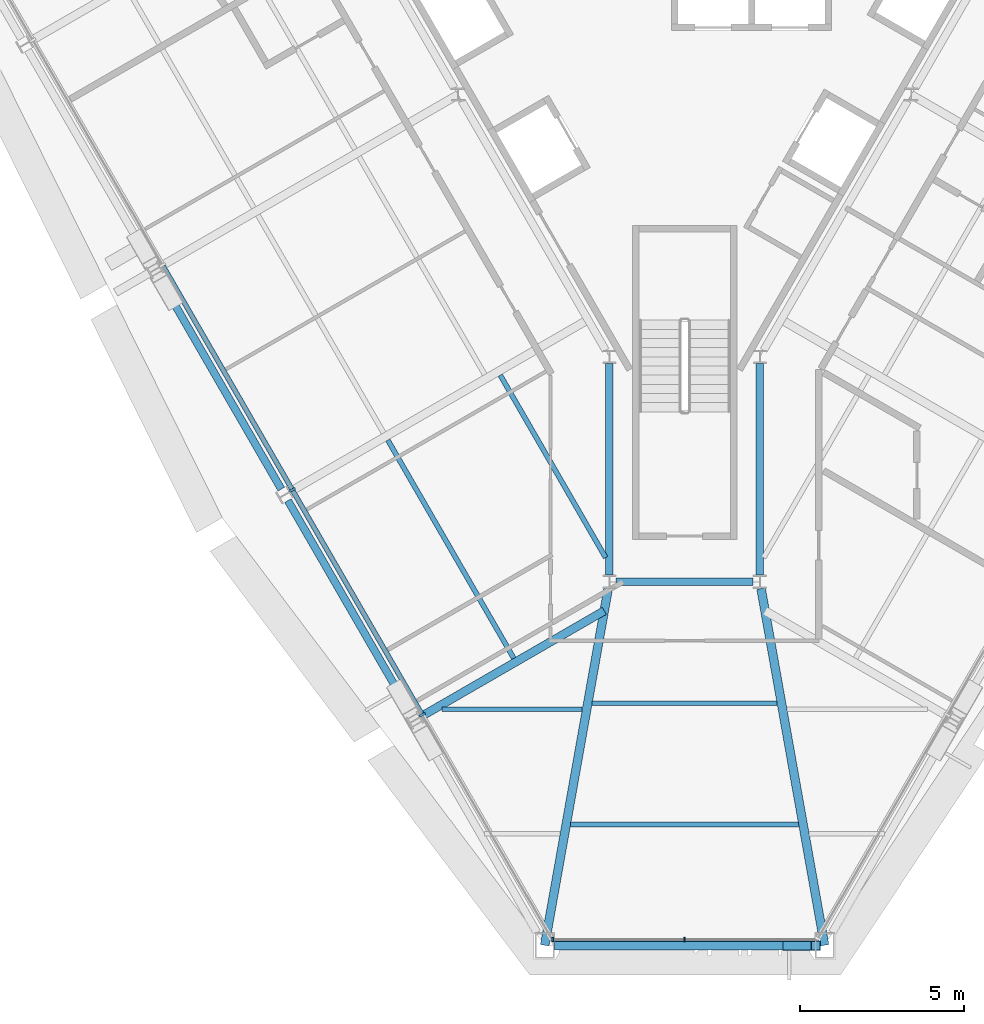
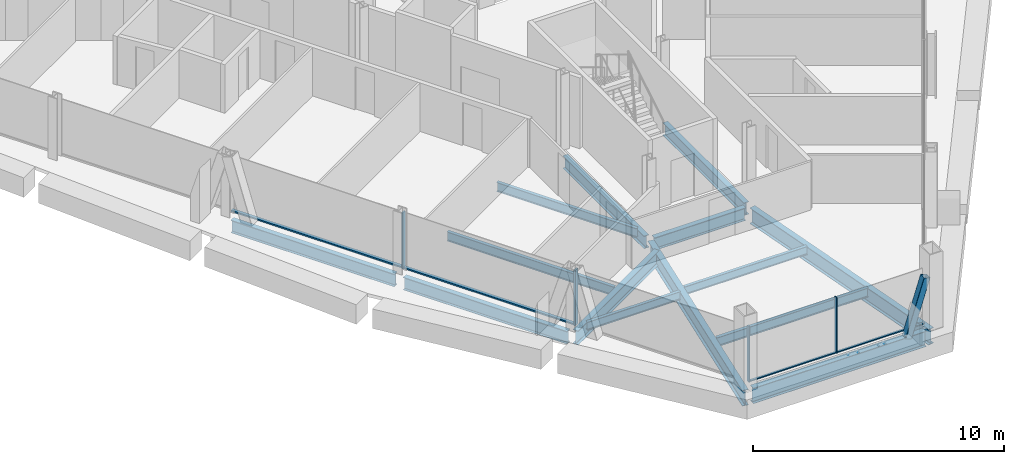
# One storey, part 3 of 14: 14 beams, 9 members, 2 elements without a shape of their own.
"""IFC4 building model written with IfcOpenShell, lengths in metres."""

from ifc_helpers import new_model, si_unit, direction, frame, origin, origin_2d, place, context, subcontext, project, spatial, rectangle, hollow_rectangle, i_section, extrude, material, material_profile, profile_set, type_object, element, aggregate, save


model = new_model("IFC4")

# Units and contexts
model_context = context("Model", 3, precision=1e-05, world=origin(), true_north=direction((0.0, 1.0)))
body_context = subcontext(model_context, "Body", "Model", "MODEL_VIEW")
ifc_project = project(units=[si_unit("LENGTHUNIT", "METRE"), si_unit("AREAUNIT", "SQUARE_METRE"), si_unit("VOLUMEUNIT", "CUBIC_METRE"), si_unit("PLANEANGLEUNIT", "RADIAN"), si_unit("MASSUNIT", "GRAM", prefix="KILO")], contexts=[model_context])

# Site, building, storey
site_placement = place(None, origin())
site = spatial("IfcSite", under=ifc_project, at=site_placement, CompositionType="ELEMENT")
building_placement = place(site_placement, origin())
building = spatial("IfcBuilding", under=site, at=building_placement, Name="Verrane Prism Tower", CompositionType="ELEMENT")
storey_placement = place(building_placement, frame((0.0, 0.0, 196.89990234375)))
storey = spatial("IfcBuildingStorey", under=building, at=storey_placement, Name="L49", CompositionType="ELEMENT", Elevation=196.89990234375)

# Member
ifc_material_1 = material(Name="Steel A500 Grade C", Category="steel")
ifc_material_profile_1 = material_profile(ifc_material_1, hollow_rectangle(XDim=0.3046875, YDim=0.3046875, WallThickness=0.0126953125, InnerFilletRadius=0.00634765625, OuterFilletRadius=0.01904296875, at=origin_2d()), Name="HSS12x12x1/2")
ifc_profile_set_1 = profile_set([ifc_material_profile_1], Name="Steel A500 Grade C")
member_type_1 = type_object("IfcMemberType", Name="Chamfer brace HSS12x12x1/2", PredefinedType="BRACE", material=ifc_profile_set_1)
member_1_placement = place(storey_placement, frame((3.152099609375, -30.02001953125, -0.242431640625), z_axis=(0.305311612808, 0.0, 0.952252497547), x_axis=(0.0, 1.0, 0.0)))
element("IfcMember", 1, at=member_1_placement, inside=storey, type_object=member_type_1, Name="Chamfer brace S0 L49", PredefinedType="BRACE", context=body_context, shape_type="SweptSolid", body=[
    extrude(hollow_rectangle(XDim=0.3046875, YDim=0.3046875, WallThickness=0.0126953125, InnerFilletRadius=0.00634765625, OuterFilletRadius=0.01904296875, at=origin_2d()), origin(), (0.0, 0.0, 1.0), 2.81005859375),
])

# Beams
ifc_material_2 = material(Name="Steel A992", Category="steel")
ifc_material_profile_2 = material_profile(ifc_material_2, i_section(OverallWidth=0.2666015625, OverallDepth=0.7568359375, WebThickness=0.013916015625, FlangeThickness=0.019287109375, FilletRadius=0.0166015625, at=origin_2d()), Name="W30x108")
ifc_profile_set_2 = profile_set([ifc_material_profile_2], Name="Steel A992")
beam_type_1 = type_object("IfcBeamType", Name="Chamfer spandrel beam W30x108", PredefinedType="SPANDREL", material=ifc_profile_set_2)
beam_1_placement = place(storey_placement, frame((-3.97998046875, -30.02001953125, -0.538330078125), z_axis=(1.0, 0.0, 0.0), x_axis=(0.0, 1.0, 0.0)))
element("IfcBeam", 2, at=beam_1_placement, inside=storey, type_object=beam_type_1, Name="Chamfer spandrel beam L49", PredefinedType="SPANDREL", context=body_context, shape_type="SweptSolid", body=[
    extrude(i_section(OverallWidth=0.2666015625, OverallDepth=0.7568359375, WebThickness=0.013916015625, FlangeThickness=0.019287109375, FilletRadius=0.0166015625, at=origin_2d()), origin(), (0.0, 0.0, 1.0), 7.9599609375),
])
ifc_material_3 = material(Name="Steel A992", Category="steel")
ifc_material_profile_3 = material_profile(ifc_material_3, i_section(OverallWidth=0.23046875, OverallDepth=0.6171875, WebThickness=0.01318359375, FlangeThickness=0.022216796875, FilletRadius=0.012939453125, at=origin_2d()), Name="W24x94")
ifc_profile_set_3 = profile_set([ifc_material_profile_3], Name="Steel A992")
beam_type_2 = type_object("IfcBeamType", Name="Core ring girder W24x94", PredefinedType="BEAM", material=ifc_profile_set_3)
beam_2_placement = place(storey_placement, frame((-2.300048828125, -12.219482421875, -0.55859375), z_axis=(0.0, -1.0, 0.0), x_axis=(1.0, 0.0, 0.0)))
element("IfcBeam", 3, at=beam_2_placement, inside=storey, type_object=beam_type_2, Name="Core ring girder L49", PredefinedType="BEAM", context=body_context, shape_type="SweptSolid", body=[
    extrude(i_section(OverallWidth=0.23046875, OverallDepth=0.6171875, WebThickness=0.01318359375, FlangeThickness=0.022216796875, FilletRadius=0.012939453125, at=origin_2d()), origin(), (0.0, 0.0, 1.0), 6.47216796875),
])
beam_3_placement = place(storey_placement, frame((-2.0966796875, -18.89990234375, -0.55859375), z_axis=(1.0, 0.0, 0.0), x_axis=(0.0, 1.0, 0.0)))
element("IfcBeam", 4, at=beam_3_placement, inside=storey, type_object=beam_type_2, Name="Core ring girder L49", PredefinedType="BEAM", context=body_context, shape_type="SweptSolid", body=[
    extrude(i_section(OverallWidth=0.23046875, OverallDepth=0.6171875, WebThickness=0.01318359375, FlangeThickness=0.022216796875, FilletRadius=0.012939453125, at=origin_2d()), origin(), (0.0, 0.0, 1.0), 4.193359375),
])
beam_4_placement = place(storey_placement, frame((2.300048828125, -18.691650390625, -0.55859375), z_axis=(0.0, 1.0, 0.0), x_axis=(-1.0, 0.0, 0.0)))
element("IfcBeam", 5, at=beam_4_placement, inside=storey, type_object=beam_type_2, Name="Core ring girder L49", PredefinedType="BEAM", context=body_context, shape_type="SweptSolid", body=[
    extrude(i_section(OverallWidth=0.23046875, OverallDepth=0.6171875, WebThickness=0.01318359375, FlangeThickness=0.022216796875, FilletRadius=0.012939453125, at=origin_2d()), origin(), (0.0, 0.0, 1.0), 6.47216796875),
])
ifc_material_4 = material(Name="Steel A992", Category="steel")
ifc_material_profile_4 = material_profile(ifc_material_4, i_section(OverallWidth=0.2666015625, OverallDepth=0.76708984375, WebThickness=0.014892578125, FlangeThickness=0.023681640625, FilletRadius=0.0166015625, at=origin_2d()), Name="W30x124")
ifc_profile_set_4 = profile_set([ifc_material_profile_4], Name="Steel A992")
beam_type_3 = type_object("IfcBeamType", Name="Corner girder W30x124", PredefinedType="BEAM", material=ifc_profile_set_4)
beam_5_placement = place(storey_placement, frame((-4.2783203125, -30.010986328125, -0.603515625), z_axis=(0.175289303182, 0.984516967954, 0.0), x_axis=(-0.984516967954, 0.175289303182, 0.0)))
element("IfcBeam", 6, at=beam_5_placement, inside=storey, type_object=beam_type_3, Name="Corner girder L49", PredefinedType="BEAM", context=body_context, shape_type="SweptSolid", body=[
    extrude(i_section(OverallWidth=0.2666015625, OverallDepth=0.76708984375, WebThickness=0.014892578125, FlangeThickness=0.023681640625, FilletRadius=0.0166015625, at=origin_2d()), origin(), (0.0, 0.0, 1.0), 11.073974609375),
])
beam_6_placement = place(storey_placement, frame((4.2783203125, -30.010498046875, -0.603515625), z_axis=(-0.175296912765, 0.984515613068, 0.0), x_axis=(-0.984515613068, -0.175296912765, 0.0)))
element("IfcBeam", 7, at=beam_6_placement, inside=storey, type_object=beam_type_3, Name="Corner girder L49", PredefinedType="BEAM", context=body_context, shape_type="SweptSolid", body=[
    extrude(i_section(OverallWidth=0.2666015625, OverallDepth=0.76708984375, WebThickness=0.014892578125, FlangeThickness=0.023681640625, FilletRadius=0.0166015625, at=origin_2d()), origin(), (0.0, 0.0, 1.0), 11.073486328125),
])
ifc_material_5 = material(Name="Steel A992", Category="steel")
ifc_material_profile_5 = material_profile(ifc_material_5, i_section(OverallWidth=0.140380859375, OverallDepth=0.40380859375, WebThickness=0.007080078125, FlangeThickness=0.01123046875, FilletRadius=0.01025390625, at=origin_2d()), Name="W16x31")
ifc_profile_set_5 = profile_set([ifc_material_profile_5], Name="Steel A992")
beam_type_4 = type_object("IfcBeamType", Name="Floor beam W16x31", PredefinedType="BEAM", material=ifc_profile_set_5)
beam_7_placement = place(storey_placement, frame((-7.418212890625, -22.796630859375, -0.36181640625), z_axis=(1.0, 0.0, 0.0), x_axis=(0.0, 1.0, 0.0)))
element("IfcBeam", 8, at=beam_7_placement, inside=storey, type_object=beam_type_4, Name="Floor beam L49", PredefinedType="BEAM", context=body_context, shape_type="SweptSolid", body=[
    extrude(i_section(OverallWidth=0.140380859375, OverallDepth=0.40380859375, WebThickness=0.007080078125, FlangeThickness=0.01123046875, FilletRadius=0.01025390625, at=origin_2d()), origin(), (0.0, 0.0, 1.0), 4.287109375),
])
beam_8_placement = place(storey_placement, frame((-2.825927734375, -22.606689453125, -0.36181640625), z_axis=(1.0, 0.0, 0.0), x_axis=(0.0, 1.0, 0.0)))
element("IfcBeam", 9, at=beam_8_placement, inside=storey, type_object=beam_type_4, Name="Floor beam L49", PredefinedType="BEAM", context=body_context, shape_type="SweptSolid", body=[
    extrude(i_section(OverallWidth=0.140380859375, OverallDepth=0.40380859375, WebThickness=0.007080078125, FlangeThickness=0.01123046875, FilletRadius=0.01025390625, at=origin_2d()), origin(), (0.0, 0.0, 1.0), 5.65185546875),
])
ifc_material_6 = material(Name="Steel A992", Category="steel")
ifc_material_profile_6 = material_profile(ifc_material_6, i_section(OverallWidth=0.15234375, OverallDepth=0.449462890625, WebThickness=0.007568359375, FlangeThickness=0.0107421875, FilletRadius=0.01025390625, at=origin_2d()), Name="W18x35")
ifc_profile_set_6 = profile_set([ifc_material_profile_6], Name="Steel A992")
beam_type_5 = type_object("IfcBeamType", Name="Floor beam W18x35", PredefinedType="BEAM", material=ifc_profile_set_6)
beam_9_placement = place(storey_placement, frame((-2.4150390625, -18.16064453125, -0.384765625), z_axis=(-0.499994722028, 0.866028451001, 0.0), x_axis=(-0.866028451001, -0.499994722028, 0.0)))
element("IfcBeam", 10, at=beam_9_placement, inside=storey, type_object=beam_type_5, Name="Floor beam L49", PredefinedType="BEAM", context=body_context, shape_type="SweptSolid", body=[
    extrude(i_section(OverallWidth=0.15234375, OverallDepth=0.449462890625, WebThickness=0.007568359375, FlangeThickness=0.0107421875, FilletRadius=0.01025390625, at=origin_2d()), origin(), (0.0, 0.0, 1.0), 6.4423828125),
])
beam_10_placement = place(storey_placement, frame((-5.222900390625, -21.237060546875, -0.384765625), z_axis=(-0.500007761655, 0.866020922544, 0.0), x_axis=(-0.866020922544, -0.500007761655, 0.0)))
element("IfcBeam", 11, at=beam_10_placement, inside=storey, type_object=beam_type_5, Name="Floor beam L49", PredefinedType="BEAM", context=body_context, shape_type="SweptSolid", body=[
    extrude(i_section(OverallWidth=0.15234375, OverallDepth=0.449462890625, WebThickness=0.007568359375, FlangeThickness=0.0107421875, FilletRadius=0.01025390625, at=origin_2d()), origin(), (0.0, 0.0, 1.0), 7.70361328125),
])
beam_11_placement = place(storey_placement, frame((-3.486083984375, -26.313232421875, -0.384765625), z_axis=(1.0, 0.0, 0.0), x_axis=(0.0, 1.0, 0.0)))
element("IfcBeam", 12, at=beam_11_placement, inside=storey, type_object=beam_type_5, Name="Floor beam L49", PredefinedType="BEAM", context=body_context, shape_type="SweptSolid", body=[
    extrude(i_section(OverallWidth=0.15234375, OverallDepth=0.449462890625, WebThickness=0.007568359375, FlangeThickness=0.0107421875, FilletRadius=0.01025390625, at=origin_2d()), origin(), (0.0, 0.0, 1.0), 6.97216796875),
])

# Curtain wall, members
ifc_material_7 = material(Name="Aluminium framed insulated glazing", Category="aluminium")
curtain_wall_type_1 = type_object("IfcCurtainWallType", Name="Curtain wall CW-C 4200 module", PredefinedType="NOTDEFINED", material=ifc_material_7)
curtain_wall_1_placement = place(storey_placement, origin())
curtain_wall_1 = element("IfcCurtainWall", 13, at=curtain_wall_1_placement, inside=storey, type_object=curtain_wall_type_1, Name="Glazed curtain wall south corner L49", PredefinedType="NOTDEFINED")
ifc_material_8 = material(Name="Aluminium alloy 6063-T6", Category="aluminium")
ifc_material_profile_7 = material_profile(ifc_material_8, rectangle(XDim=0.139892578125, YDim=0.050048828125, at=origin_2d()), Name="Mullion 50x140 aluminium")
ifc_profile_set_7 = profile_set([ifc_material_profile_7], Name="Aluminium alloy 6063-T6")
member_type_2 = type_object("IfcMemberType", Name="Mullion 50x140 aluminium", PredefinedType="MULLION", material=ifc_profile_set_7)
member_2_placement = place(storey_placement, frame((-4.0302734375, -29.838134765625, 0.0), z_axis=(0.0, 0.0, 1.0), x_axis=(0.0, 1.0, 0.0)))
member_2 = element("IfcMember", 14, at=member_2_placement, type_object=member_type_2, Name="CW47.5 mullion 1", PredefinedType="MULLION", context=body_context, shape_type="SweptSolid", body=[
    extrude(rectangle(XDim=0.139892578125, YDim=0.050048828125, at=origin_2d()), origin(), (0.0, 0.0, 1.0), 2.712890625),
])
member_3_placement = place(storey_placement, frame((0.0, -29.838134765625, 0.0), z_axis=(0.0, 0.0, 1.0), x_axis=(0.0, 1.0, 0.0)))
member_3 = element("IfcMember", 15, at=member_3_placement, type_object=member_type_2, Name="CW47.5 mullion 2", PredefinedType="MULLION", context=body_context, shape_type="SweptSolid", body=[
    extrude(rectangle(XDim=0.139892578125, YDim=0.050048828125, at=origin_2d()), origin(), (0.0, 0.0, 1.0), 2.712890625),
])

ifc_material_9 = material(Name="Aluminium framed insulated glazing", Category="aluminium")
curtain_wall_type_2 = type_object("IfcCurtainWallType", Name="Curtain wall CW-A 8400 module", PredefinedType="NOTDEFINED", material=ifc_material_9)
curtain_wall_2_placement = place(storey_placement, origin())
curtain_wall_2 = element("IfcCurtainWall", 16, at=curtain_wall_2_placement, inside=storey, type_object=curtain_wall_type_2, Name="Glazed curtain wall south-west face L49", PredefinedType="NOTDEFINED")
ifc_material_10 = material(Name="Aluminium alloy 6063-T6", Category="aluminium")
ifc_material_profile_8 = material_profile(ifc_material_10, rectangle(XDim=0.199951171875, YDim=0.070068359375, at=origin_2d()), Name="Mullion 70x200 aluminium")
ifc_profile_set_8 = profile_set([ifc_material_profile_8], Name="Aluminium alloy 6063-T6")
member_type_3 = type_object("IfcMemberType", Name="Mullion 70x200 aluminium", PredefinedType="MULLION", material=ifc_profile_set_8)
member_4_placement = place(storey_placement, frame((-11.992919921875, -16.089599609375, 0.0), z_axis=(0.0, 0.0, 1.0), x_axis=(0.866025652206, 0.499999569721, 0.0)))
member_4 = element("IfcMember", 17, at=member_4_placement, type_object=member_type_3, Name="CW47.4 mullion 5", PredefinedType="MULLION", context=body_context, shape_type="SweptSolid", body=[
    extrude(rectangle(XDim=0.199951171875, YDim=0.070068359375, at=origin_2d()), origin(), (0.0, 0.0, 1.0), 2.712890625),
])
member_5_placement = place(storey_placement, frame((-8.024169921875, -22.9638671875, 0.0), z_axis=(0.0, 0.0, 1.0), x_axis=(0.866025652206, 0.499999569721, 0.0)))
member_5 = element("IfcMember", 18, at=member_5_placement, type_object=member_type_3, Name="CW47.4 mullion 6", PredefinedType="MULLION", context=body_context, shape_type="SweptSolid", body=[
    extrude(rectangle(XDim=0.199951171875, YDim=0.070068359375, at=origin_2d()), origin(), (0.0, 0.0, 1.0), 2.712890625),
])

# Beams
ifc_material_11 = material(Name="Steel A992", Category="steel")
ifc_material_profile_9 = material_profile(ifc_material_11, i_section(OverallWidth=0.25390625, OverallDepth=0.683349609375, WebThickness=0.012451171875, FlangeThickness=0.01904296875, FilletRadius=0.01513671875, at=origin_2d()), Name="W27x94")
ifc_profile_set_9 = profile_set([ifc_material_profile_9], Name="Steel A992")
beam_type_6 = type_object("IfcBeamType", Name="Radial girder W27x94", PredefinedType="BEAM", material=ifc_profile_set_9)
beam_12_placement = place(storey_placement, frame((-8.069580078125, -23.02587890625, -0.5615234375), z_axis=(0.866024967991, 0.500000754816, 0.0), x_axis=(-0.500000754816, 0.866024967991, 0.0)))
element("IfcBeam", 19, at=beam_12_placement, inside=storey, type_object=beam_type_6, Name="Radial girder L49", PredefinedType="BEAM", context=body_context, shape_type="SweptSolid", body=[
    extrude(i_section(OverallWidth=0.25390625, OverallDepth=0.683349609375, WebThickness=0.012451171875, FlangeThickness=0.01904296875, FilletRadius=0.01513671875, at=origin_2d()), origin(), (0.0, 0.0, 1.0), 6.47998046875),
])
ifc_material_12 = material(Name="Steel A992", Category="steel")
ifc_material_profile_10 = material_profile(ifc_material_12, i_section(OverallWidth=0.23046875, OverallDepth=0.6171875, WebThickness=0.01318359375, FlangeThickness=0.022216796875, FilletRadius=0.012939453125, at=origin_2d()), Name="W24x94")
ifc_profile_set_10 = profile_set([ifc_material_profile_10], Name="Steel A992")
beam_type_7 = type_object("IfcBeamType", Name="Spandrel beam W24x94", PredefinedType="SPANDREL", material=ifc_profile_set_10)
beam_13_placement = place(storey_placement, frame((-16.098388671875, -9.535888671875, -0.468505859375), z_axis=(0.499786949886, -0.866148373388, 0.0), x_axis=(0.866148373388, 0.499786949886, 0.0)))
element("IfcBeam", 20, at=beam_13_placement, inside=storey, type_object=beam_type_7, Name="Spandrel beam L49", PredefinedType="SPANDREL", context=body_context, shape_type="SweptSolid", body=[
    extrude(i_section(OverallWidth=0.23046875, OverallDepth=0.6171875, WebThickness=0.01318359375, FlangeThickness=0.022216796875, FilletRadius=0.012939453125, at=origin_2d()), origin(), (0.0, 0.0, 1.0), 7.536865234375),
])
beam_14_placement = place(storey_placement, frame((-12.12841796875, -16.416015625, -0.468505859375), z_axis=(0.500207565094, -0.865905532852, 0.0), x_axis=(0.865905532852, 0.500207565094, 0.0)))
element("IfcBeam", 21, at=beam_14_placement, inside=storey, type_object=beam_type_7, Name="Spandrel beam L49", PredefinedType="SPANDREL", context=body_context, shape_type="SweptSolid", body=[
    extrude(i_section(OverallWidth=0.23046875, OverallDepth=0.6171875, WebThickness=0.01318359375, FlangeThickness=0.022216796875, FilletRadius=0.012939453125, at=origin_2d()), origin(), (0.0, 0.0, 1.0), 7.550537109375),
])

# Member
ifc_material_13 = material(Name="Aluminium alloy 6063-T6", Category="aluminium")
ifc_material_profile_11 = material_profile(ifc_material_13, rectangle(XDim=0.10009765625, YDim=0.050048828125, at=origin_2d()), Name="Transom 50x100 aluminium")
ifc_profile_set_11 = profile_set([ifc_material_profile_11], Name="Aluminium alloy 6063-T6")
member_type_4 = type_object("IfcMemberType", Name="Transom 50x100 aluminium", PredefinedType="USERDEFINED", material=ifc_profile_set_11)
member_6_placement = place(storey_placement, frame((-4.00537109375, -29.838134765625, 0.025146484375), z_axis=(1.0, 0.0, 0.0), x_axis=(0.0, 1.0, 0.0)))
member_6 = element("IfcMember", 22, at=member_6_placement, type_object=member_type_4, Name="CW47.5 transom 1", ObjectType="TRANSOM", PredefinedType="USERDEFINED", context=body_context, shape_type="SweptSolid", body=[
    extrude(rectangle(XDim=0.10009765625, YDim=0.050048828125, at=origin_2d()), origin(), (0.0, 0.0, 1.0), 3.98046875),
])

member_7_placement = place(storey_placement, frame((0.02490234375, -29.838134765625, 0.025146484375), z_axis=(1.0, 0.0, 0.0), x_axis=(0.0, 1.0, 0.0)))
member_7 = element("IfcMember", 23, at=member_7_placement, type_object=member_type_4, Name="CW47.5 transom 2", ObjectType="TRANSOM", PredefinedType="USERDEFINED", context=body_context, shape_type="SweptSolid", body=[
    extrude(rectangle(XDim=0.10009765625, YDim=0.050048828125, at=origin_2d()), origin(), (0.0, 0.0, 1.0), 4.030517578125),
])

aggregate(curtain_wall_1, [member_2, member_3, member_6, member_7])

ifc_material_14 = material(Name="Aluminium alloy 6063-T6", Category="aluminium")
ifc_material_profile_12 = material_profile(ifc_material_14, rectangle(XDim=0.14990234375, YDim=0.070068359375, at=origin_2d()), Name="Transom 70x150 aluminium")
ifc_profile_set_12 = profile_set([ifc_material_profile_12], Name="Aluminium alloy 6063-T6")
member_type_5 = type_object("IfcMemberType", Name="Transom 70x150 aluminium", PredefinedType="USERDEFINED", material=ifc_profile_set_12)
member_8_placement = place(storey_placement, frame((-15.9443359375, -9.245849609375, 0.03515625), z_axis=(0.50000718421, -0.866021255939, 0.0), x_axis=(0.866021255939, 0.50000718421, 0.0)))
member_8 = element("IfcMember", 24, at=member_8_placement, type_object=member_type_5, Name="CW47.4 transom 4", ObjectType="TRANSOM", PredefinedType="USERDEFINED", context=body_context, shape_type="SweptSolid", body=[
    extrude(rectangle(XDim=0.14990234375, YDim=0.070068359375, at=origin_2d()), origin(), (0.0, 0.0, 1.0), 7.86767578125),
])

member_9_placement = place(storey_placement, frame((-11.975341796875, -16.1201171875, 0.03515625), z_axis=(0.50000718421, -0.866021255939, 0.0), x_axis=(0.866021255939, 0.50000718421, 0.0)))
member_9 = element("IfcMember", 25, at=member_9_placement, type_object=member_type_5, Name="CW47.4 transom 5", ObjectType="TRANSOM", PredefinedType="USERDEFINED", context=body_context, shape_type="SweptSolid", body=[
    extrude(rectangle(XDim=0.14990234375, YDim=0.070068359375, at=origin_2d()), origin(), (0.0, 0.0, 1.0), 7.86767578125),
])

aggregate(curtain_wall_2, [member_4, member_5, member_8, member_9])

save(model, "model.ifc")
